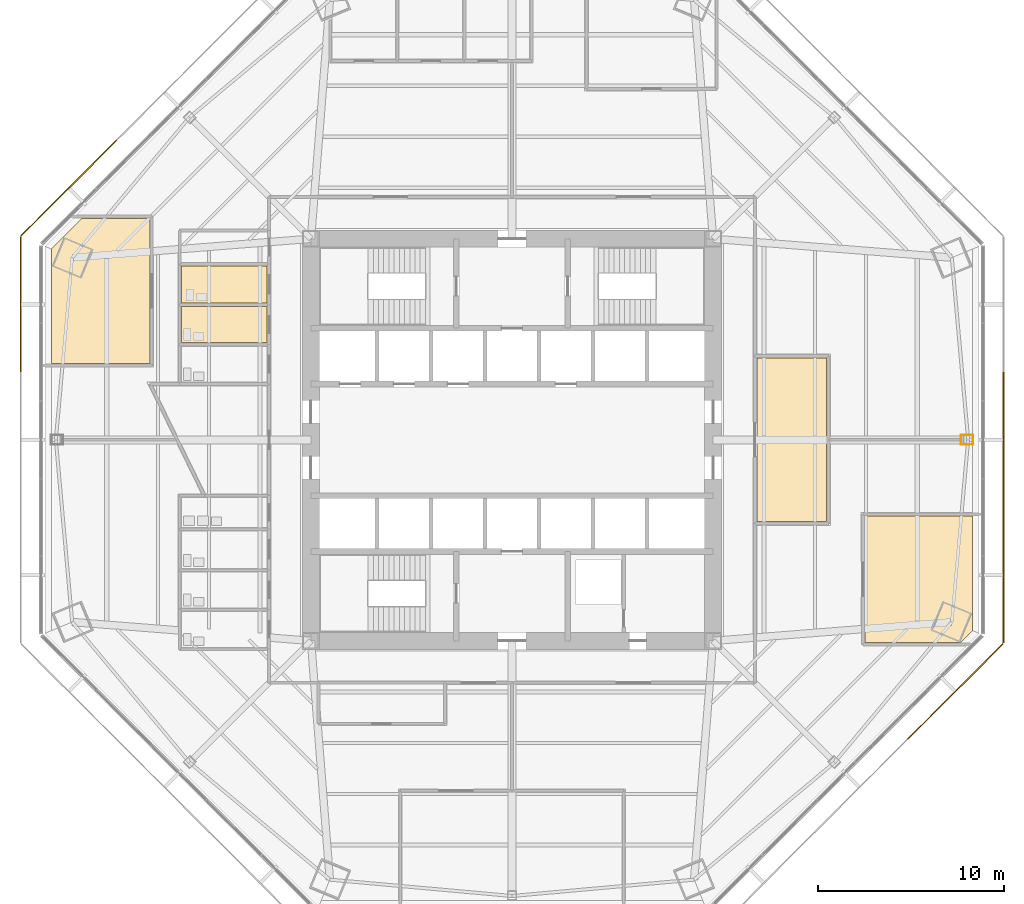
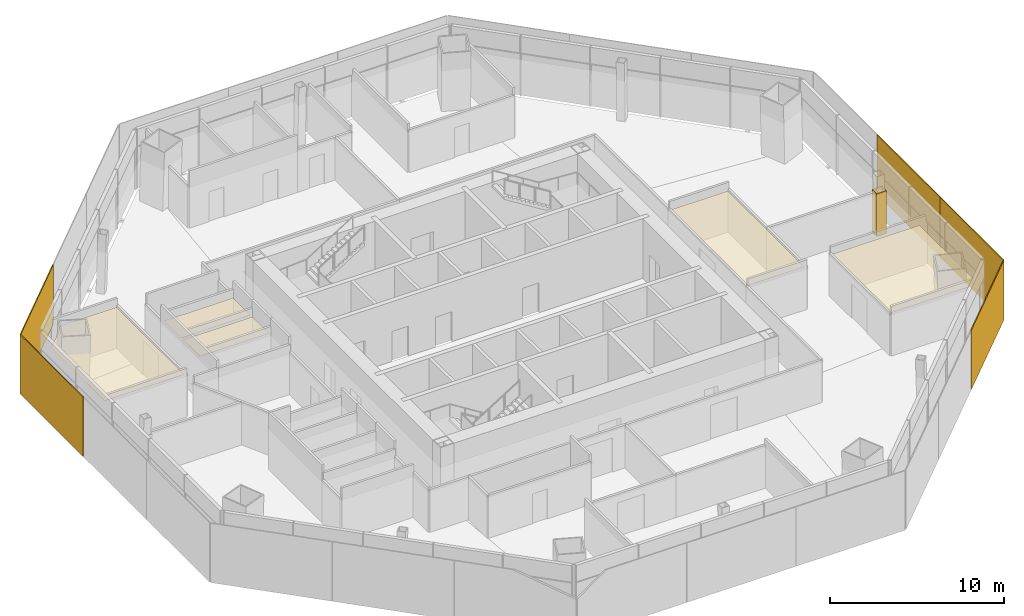
# One storey, part 14 of 16: 6 coverings, 5 shading devices.
"""IFC4 building model written with IfcOpenShell, lengths in metres."""

from ifc_helpers import new_model, si_unit, direction, frame, origin, origin_2d, place, context, subcontext, project, spatial, polyline, rectangle, outline, extrude, source, transform, mapped, material, layer, layer_set, type_object, type_shapes, element, save


model = new_model("IFC4")

# Units and contexts
model_context = context("Model", 3, precision=1e-05, world=origin(), true_north=direction((0.0, 1.0)))
body_context = subcontext(model_context, "Body", "Model", "MODEL_VIEW")
ifc_project = project(units=[si_unit("LENGTHUNIT", "METRE"), si_unit("AREAUNIT", "SQUARE_METRE"), si_unit("VOLUMEUNIT", "CUBIC_METRE"), si_unit("PLANEANGLEUNIT", "RADIAN"), si_unit("MASSUNIT", "GRAM", prefix="KILO")], contexts=[model_context])

# Site, building, storey
site_placement = place(None, origin())
site = spatial("IfcSite", under=ifc_project, at=site_placement, CompositionType="ELEMENT")
building_placement = place(site_placement, origin())
building = spatial("IfcBuilding", under=site, at=building_placement, Name="Mashrafa Tower", CompositionType="ELEMENT")
storey_placement = place(building_placement, frame((0.0, 0.0, 96.0)))
storey = spatial("IfcBuildingStorey", under=building, at=storey_placement, Name="L21", CompositionType="ELEMENT", Elevation=96.0)

# Coverings
ifc_material_1 = material(Name="Gypsum board")
ifc_layer_1 = layer(ifc_material_1, 0.014892578125)
ifc_layer_set_1 = layer_set([ifc_layer_1], Name="Column casing plasterboard 15")
covering_type_1 = type_object("IfcCoveringType", Name="Column casing plasterboard 15", PredefinedType="CLADDING", material=ifc_layer_set_1)
covering_1_placement = place(storey_placement, origin())
element("IfcCovering", 1, at=covering_1_placement, inside=storey, type_object=covering_type_1, Name="Column casing L21-001", PredefinedType="CLADDING", context=body_context, shape_type="SweptSolid", body=[
    extrude(outline(polyline([(24.114990234375, 0.264892578125), (24.76416015625, 0.264892578125), (24.76416015625, -0.264892578125), (24.114990234375, -0.264892578125), (24.114990234375, 0.264892578125)]), holes=[polyline([(24.7490234375, -0.25), (24.7490234375, 0.25), (24.130126953125, 0.25), (24.130126953125, -0.25), (24.7490234375, -0.25)])]), origin(), (0.0, 0.0, 1.0), 3.01416015625),
])
ifc_material_2 = material(Name="Mineral fibre tile on suspension grid")
ifc_layer_2 = layer(ifc_material_2, 0.014892578125)
ifc_layer_set_2 = layer_set([ifc_layer_2], Name="Suspended ceiling mineral tile 15")
covering_type_2 = type_object("IfcCoveringType", Name="Suspended ceiling mineral tile 15", PredefinedType="CEILING", material=ifc_layer_set_2)
covering_2_placement = place(storey_placement, frame((0.0, 0.0, 2.89990234375)))
element("IfcCovering", 2, at=covering_2_placement, inside=storey, type_object=covering_type_2, Name="Ceiling WC Male L21 N", PredefinedType="CEILING", context=body_context, shape_type="SweptSolid", body=[
    extrude(outline(polyline([(-17.75, 5.22509765625), (-17.75, 7.14990234375), (-13.14990234375, 7.14990234375), (-13.14990234375, 5.22509765625), (-17.75, 5.22509765625)])), origin(), (0.0, 0.0, 1.0), 0.01513671875),
])
covering_3_placement = place(storey_placement, frame((0.0, 0.0, 2.89990234375)))
element("IfcCovering", 3, at=covering_3_placement, inside=storey, type_object=covering_type_2, Name="Ceiling Accessible WC L21 N", PredefinedType="CEILING", context=body_context, shape_type="SweptSolid", body=[
    extrude(outline(polyline([(-17.75, 7.35009765625), (-17.75, 9.35009765625), (-13.14990234375, 9.35009765625), (-13.14990234375, 7.35009765625), (-17.75, 7.35009765625)])), origin(), (0.0, 0.0, 1.0), 0.01513671875),
])
covering_4_placement = place(storey_placement, frame((0.0, 0.0, 2.89990234375)))
element("IfcCovering", 4, at=covering_4_placement, inside=storey, type_object=covering_type_2, Name="Ceiling Executive Reception 21", PredefinedType="CEILING", context=body_context, shape_type="SweptSolid", body=[
    extrude(outline(polyline([(13.14990234375, 4.39990234375), (16.89990234375, 4.39990234375), (16.89990234375, -4.39990234375), (13.14990234375, -4.39990234375), (13.14990234375, 4.39990234375)])), origin(), (0.0, 0.0, 1.0), 0.01513671875),
])
covering_5_placement = place(storey_placement, frame((0.0, 0.0, 2.89990234375)))
element("IfcCovering", 5, at=covering_5_placement, inside=storey, type_object=covering_type_2, Name="Ceiling Guest Majlis 21", PredefinedType="CEILING", context=body_context, shape_type="SweptSolid", body=[
    extrude(outline(polyline([(18.948974609375, -4.10009765625), (24.7490234375, -4.10009765625), (24.7490234375, -10.25146484375), (24.100341796875, -10.89990234375), (18.948974609375, -10.89990234375), (18.948974609375, -4.10009765625)])), origin(), (0.0, 0.0, 1.0), 0.01513671875),
])
covering_6_placement = place(storey_placement, frame((0.0, 0.0, 2.89990234375)))
element("IfcCovering", 6, at=covering_6_placement, inside=storey, type_object=covering_type_2, Name="Ceiling Executive Dining Room 21", PredefinedType="CEILING", context=body_context, shape_type="SweptSolid", body=[
    extrude(outline(polyline([(-19.448974609375, 11.89990234375), (-19.448974609375, 4.10009765625), (-24.7490234375, 4.10009765625), (-24.7490234375, 10.25146484375), (-23.100341796875, 11.89990234375), (-19.448974609375, 11.89990234375)])), origin(), (0.0, 0.0, 1.0), 0.01513671875),
])

# Shading devices
ifc_material_3 = material(Name="Perforated aluminium plate, eight-point star pattern", Category="aluminium")
ifc_layer_3 = layer(ifc_material_3, 0.06005859375)
ifc_layer_set_3 = layer_set([ifc_layer_3], Name="Mashrabiya screen panel office zone 1, 45 percent open")
shading_device_type = type_object("IfcShadingDeviceType", Name="Mashrabiya screen panel office zone 1, 45 percent open", PredefinedType="SHUTTER", material=ifc_layer_set_3)
shared_shape = source(origin(), body_context, "Body", "SweptSolid", [
    extrude(rectangle(XDim=7.2548828125, YDim=0.06005859375, at=origin_2d()), origin(), (0.0, 0.0, 1.0), 4.179931640625),
])
type_shapes(shading_device_type, [shared_shape])
for number, where, z_axis, x_axis, name in (
    (7, (26.39892578125, -7.27490234375, -0.14990234375), (0.0, 0.0, 1.0), (0.0, 1.0, 0.0), "Mashrabiya screen L21 east 1"),
    (8, (26.39892578125, 0.0, -0.14990234375), (0.0, 0.0, 1.0), (0.0, 1.0, 0.0), "Mashrabiya screen L21 east 2"),
    (9, (-23.81103515625, 13.522705078125, -0.14990234375), (0.0, 0.0, 1.0), (-0.707106781187, -0.707106781187, 0.0), "Mashrabiya screen L21 north-west 3"),
    (10, (-26.39892578125, 7.27490234375, -0.14990234375), (0.0, 0.0, 1.0), (0.0, -1.0, 0.0), "Mashrabiya screen L21 west 1"),
    (11, (23.81103515625, -13.522705078125, -0.14990234375), (0.0, 0.0, 1.0), (0.707106781187, 0.707106781187, 0.0), "Mashrabiya screen L21 south-east 3"),
):
    element("IfcShadingDevice", number, at=place(storey_placement, frame(where, z_axis=z_axis, x_axis=x_axis)), inside=storey, type_object=shading_device_type, Name=name, PredefinedType="SHUTTER", context=body_context, shape_type="MappedRepresentation", body=[
        mapped(shared_shape, transform((0.0, 0.0, 0.0))),
    ])

save(model, "model.ifc")
